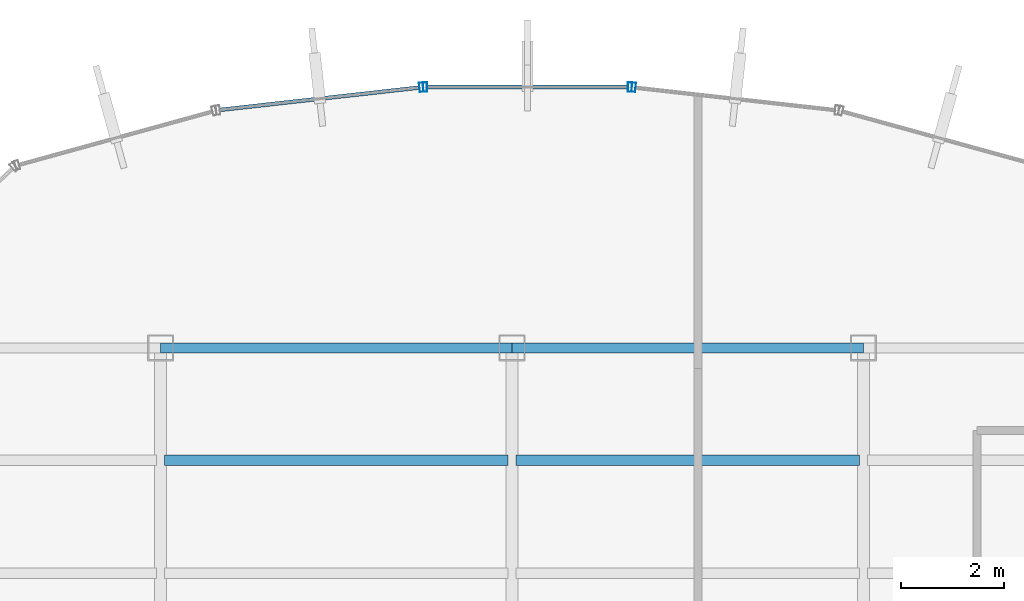
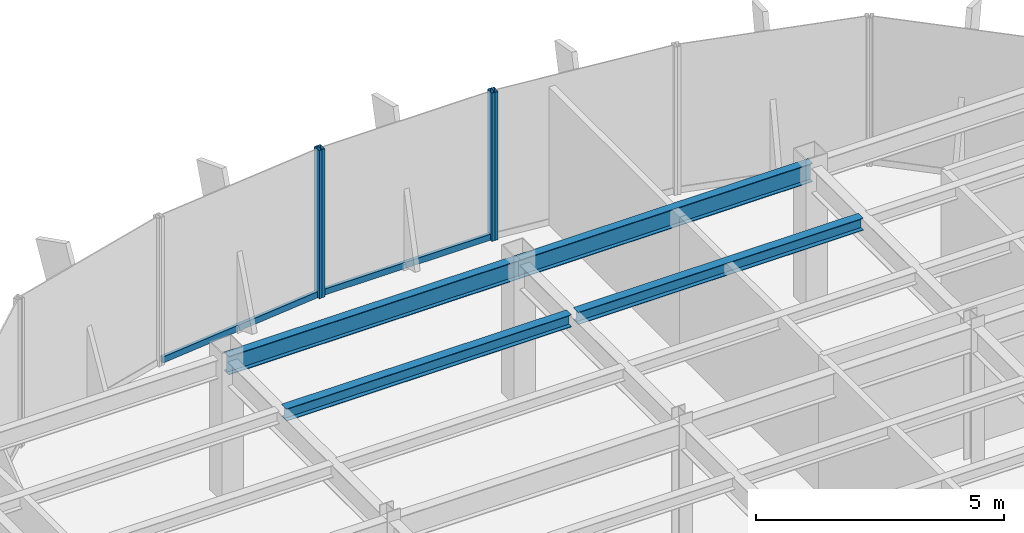
# One storey, part 13 of 22: 6 members, 4 beams, 3 elements without a shape of their own.
"""IFC4 building model written with IfcOpenShell, lengths in metres."""

from ifc_helpers import new_model, si_unit, derived_unit, direction, frame, origin, origin_2d, place, context, subcontext, project, spatial, hollow_rectangle, i_section, extrude, source, transform, mapped, material, material_profile, profile_set, type_object, element, aggregate, save


model = new_model("IFC4")

# Units and contexts
model_context = context("Model", 3, precision=1e-05, world=origin(), true_north=direction((0.0, 1.0)))
body_context = subcontext(model_context, "Body", "Model", "MODEL_VIEW")
ifc_project = project(units=[si_unit("LENGTHUNIT", "METRE"), si_unit("AREAUNIT", "SQUARE_METRE"), si_unit("VOLUMEUNIT", "CUBIC_METRE"), si_unit("PLANEANGLEUNIT", "RADIAN"), si_unit("MASSUNIT", "GRAM", prefix="KILO"), derived_unit("THERMALTRANSMITTANCEUNIT", [(si_unit("POWERUNIT", "WATT"), 1), (si_unit("LENGTHUNIT", "METRE"), -2), (si_unit("THERMODYNAMICTEMPERATUREUNIT", "KELVIN"), -1)])], contexts=[model_context])

# Site, building, storey
site_placement = place(None, origin())
site = spatial("IfcSite", under=ifc_project, at=site_placement, CompositionType="ELEMENT")
building_placement = place(site_placement, origin())
building = spatial("IfcBuilding", under=site, at=building_placement, Name="Skarnbrae Concourse Arena and Tower", CompositionType="ELEMENT")
storey_placement = place(building_placement, frame((0.0, 0.0, 240.550048828125)))
storey = spatial("IfcBuildingStorey", under=building, at=storey_placement, Name="L62", CompositionType="ELEMENT", Elevation=240.550048828125)

# Beams
ifc_material_1 = material(Name="Steel CSA G40.21 350W", Category="steel")
ifc_material_profile_1 = material_profile(ifc_material_1, i_section(OverallWidth=0.19091796875, OverallDepth=0.4599609375, WebThickness=0.010009765625, FlangeThickness=0.01611328125, at=origin_2d()), Name="W460X82")
ifc_profile_set_1 = profile_set([ifc_material_profile_1], Name="Steel CSA G40.21 350W")
beam_type_1 = type_object("IfcBeamType", Name="BM-SPAN-W460X82", PredefinedType="SPANDREL", material=ifc_profile_set_1)
shared_shape_1 = source(origin(), body_context, "Body", "SweptSolid", [
    extrude(i_section(OverallWidth=0.19091796875, OverallDepth=0.4599609375, WebThickness=0.010009765625, FlangeThickness=0.01611328125, at=origin_2d()), origin(), (0.0, 0.0, 1.0), 6.800048828125),
])
for number, where, z_axis, x_axis, name in (
    (1, (14.39990234375, 34.39990234375, 3.169921875), (1.0, 0.0, 0.0), (0.0, 1.0, 0.0), "L62 Perimeter spandrel Y34.4-2"),
    (2, (21.199951171875, 34.39990234375, 3.169921875), (1.0, 0.0, 0.0), (0.0, 1.0, 0.0), "L62 Perimeter spandrel Y34.4-3"),
):
    element("IfcBeam", number, at=place(storey_placement, frame(where, z_axis=z_axis, x_axis=x_axis)), inside=storey, type_object=beam_type_1, Name=name, PredefinedType="SPANDREL", context=body_context, shape_type="MappedRepresentation", body=[
        mapped(shared_shape_1, transform((0.0, 0.0, 0.0))),
    ])
ifc_material_profile_2 = material_profile(ifc_material_1, i_section(OverallWidth=0.202880859375, OverallDepth=0.302978515625, WebThickness=0.007568359375, FlangeThickness=0.01318359375, at=origin_2d()), Name="W310X60")
ifc_profile_set_2 = profile_set([ifc_material_profile_2], Name="Steel CSA G40.21 350W")
beam_type_2 = type_object("IfcBeamType", Name="BM-JOIST-W310X60", PredefinedType="JOIST", material=ifc_profile_set_2)
shared_shape_2 = source(origin(), body_context, "Body", "SweptSolid", [
    extrude(i_section(OverallWidth=0.202880859375, OverallDepth=0.302978515625, WebThickness=0.007568359375, FlangeThickness=0.01318359375, at=origin_2d()), origin(), (0.0, 0.0, 1.0), 6.64013671875),
])
beam_1_placement = place(storey_placement, frame((14.47998046875, 32.221923828125, 3.24853515625), z_axis=(1.0, 0.0, 0.0), x_axis=(0.0, 1.0, 0.0)))
element("IfcBeam", 3, at=beam_1_placement, inside=storey, type_object=beam_type_2, Name="L62 Secondary floor joist 3.2.2", PredefinedType="JOIST", context=body_context, shape_type="MappedRepresentation", body=[
    mapped(shared_shape_2, transform((0.0, 0.0, 0.0))),
])
shared_shape_3 = source(origin(), body_context, "Body", "SweptSolid", [
    extrude(i_section(OverallWidth=0.202880859375, OverallDepth=0.302978515625, WebThickness=0.007568359375, FlangeThickness=0.01318359375, at=origin_2d()), origin(), (0.0, 0.0, 1.0), 6.639892578125),
])
beam_2_placement = place(storey_placement, frame((21.280029296875, 32.221923828125, 3.24853515625), z_axis=(1.0, 0.0, 0.0), x_axis=(0.0, 1.0, 0.0)))
element("IfcBeam", 4, at=beam_2_placement, inside=storey, type_object=beam_type_2, Name="L62 Secondary floor joist 3.2.3", PredefinedType="JOIST", context=body_context, shape_type="MappedRepresentation", body=[
    mapped(shared_shape_3, transform((0.0, 0.0, 0.0))),
])

# Curtain wall, member
ifc_material_2 = material(Name="Bronze anodised aluminium 6063-T6", Category="aluminium")
curtain_wall_type = type_object("IfcCurtainWallType", Name="CW-SYS-05-HIGHZONE", PredefinedType="USERDEFINED", material=ifc_material_2)
curtain_wall_1_placement = place(storey_placement, origin())
curtain_wall_1 = element("IfcCurtainWall", 5, at=curtain_wall_1_placement, inside=storey, type_object=curtain_wall_type, Name="L62 Unitised curtain wall CW-L62-E10", ObjectType="UNITISED CURTAIN WALL", PredefinedType="USERDEFINED")
ifc_material_profile_3 = material_profile(ifc_material_2, hollow_rectangle(XDim=0.074951171875, YDim=0.179931640625, WallThickness=0.00390625, at=origin_2d()), Name="ALU-MULL-75X180")
ifc_profile_set_3 = profile_set([ifc_material_profile_3], Name="Bronze anodised aluminium 6063-T6")
member_type_1 = type_object("IfcMemberType", Name="CWM-CW-05", PredefinedType="MULLION", material=ifc_profile_set_3)
shared_shape_4 = source(origin(), body_context, "Body", "SweptSolid", [
    extrude(hollow_rectangle(XDim=0.074951171875, YDim=0.179931640625, WallThickness=0.00390625, at=origin_2d()), origin(), (0.0, 0.0, 1.0), 3.64990234375),
])
member_1_placement = place(storey_placement, frame((23.554443359375, 39.4423828125, 0.0), z_axis=(0.0, 0.0, 1.0), x_axis=(-0.993768891873, 0.111460259941, 0.0)))
member_1 = element("IfcMember", 6, at=member_1_placement, type_object=member_type_1, Name="CW-L62-E10 Mullion 2", PredefinedType="MULLION", context=body_context, shape_type="MappedRepresentation", body=[
    mapped(shared_shape_4, transform((0.0, 0.0, 0.0))),
])
aggregate(curtain_wall_1, [member_1])

# Curtain wall, members
curtain_wall_2_placement = place(storey_placement, origin())
curtain_wall_2 = element("IfcCurtainWall", 7, at=curtain_wall_2_placement, inside=storey, type_object=curtain_wall_type, Name="L62 Unitised curtain wall CW-L62-E11", ObjectType="UNITISED CURTAIN WALL", PredefinedType="USERDEFINED")
member_2_placement = place(storey_placement, frame((23.479736328125, 39.44677734375, 0.0), z_axis=(0.0, 0.0, 1.0), x_axis=(-1.0, 0.0, 0.0)))
member_2 = element("IfcMember", 8, at=member_2_placement, type_object=member_type_1, Name="CW-L62-E11 Mullion 1", PredefinedType="MULLION", context=body_context, shape_type="MappedRepresentation", body=[
    mapped(shared_shape_4, transform((0.0, 0.0, 0.0))),
])
member_3_placement = place(storey_placement, frame((19.520263671875, 39.44677734375, 0.0), z_axis=(0.0, 0.0, 1.0), x_axis=(-1.0, 0.0, 0.0)))
member_3 = element("IfcMember", 9, at=member_3_placement, type_object=member_type_1, Name="CW-L62-E11 Mullion 2", PredefinedType="MULLION", context=body_context, shape_type="MappedRepresentation", body=[
    mapped(shared_shape_4, transform((0.0, 0.0, 0.0))),
])

curtain_wall_3_placement = place(storey_placement, origin())
curtain_wall_3 = element("IfcCurtainWall", 10, at=curtain_wall_3_placement, inside=storey, type_object=curtain_wall_type, Name="L62 Unitised curtain wall CW-L62-E12", ObjectType="UNITISED CURTAIN WALL", PredefinedType="USERDEFINED")
member_4_placement = place(storey_placement, frame((19.445556640625, 39.4423828125, 0.0), z_axis=(0.0, 0.0, 1.0), x_axis=(-0.993768891873, -0.111460259941, 0.0)))
member_4 = element("IfcMember", 11, at=member_4_placement, type_object=member_type_1, Name="CW-L62-E12 Mullion 1", PredefinedType="MULLION", context=body_context, shape_type="MappedRepresentation", body=[
    mapped(shared_shape_4, transform((0.0, 0.0, 0.0))),
])
ifc_material_profile_4 = material_profile(ifc_material_2, hollow_rectangle(XDim=0.074951171875, YDim=0.14990234375, WallThickness=0.00390625, at=origin_2d()), Name="ALU-TRAN-75X150")
ifc_profile_set_4 = profile_set([ifc_material_profile_4], Name="Bronze anodised aluminium 6063-T6")
member_type_2 = type_object("IfcMemberType", Name="CWT-CW-05", PredefinedType="USERDEFINED", material=ifc_profile_set_4)
shared_shape_5 = source(origin(), body_context, "Body", "SweptSolid", [
    extrude(hollow_rectangle(XDim=0.074951171875, YDim=0.14990234375, WallThickness=0.00390625, at=origin_2d()), origin(), (0.0, 0.0, 1.0), 3.8837890625),
])
member_5_placement = place(storey_placement, frame((19.408203125, 39.438232421875, 0.074951171875), z_axis=(-0.993776714154, -0.111390495128, 0.0), x_axis=(0.111390495128, -0.993776714154, 0.0)))
member_5 = element("IfcMember", 12, at=member_5_placement, type_object=member_type_2, Name="CW-L62-E12 Transom 1", ObjectType="TRANSOM", PredefinedType="USERDEFINED", context=body_context, shape_type="MappedRepresentation", body=[
    mapped(shared_shape_5, transform((0.0, 0.0, 0.0))),
])
aggregate(curtain_wall_3, [member_4, member_5])

# Member
shared_shape_6 = source(origin(), body_context, "Body", "SweptSolid", [
    extrude(hollow_rectangle(XDim=0.074951171875, YDim=0.14990234375, WallThickness=0.00390625, at=origin_2d()), origin(), (0.0, 0.0, 1.0), 3.88427734375),
])
member_6_placement = place(storey_placement, frame((23.442138671875, 39.44677734375, 0.074951171875), z_axis=(-1.0, 0.0, 0.0), x_axis=(0.0, -1.0, 0.0)))
member_6 = element("IfcMember", 13, at=member_6_placement, type_object=member_type_2, Name="CW-L62-E11 Transom 1", ObjectType="TRANSOM", PredefinedType="USERDEFINED", context=body_context, shape_type="MappedRepresentation", body=[
    mapped(shared_shape_6, transform((0.0, 0.0, 0.0))),
])

aggregate(curtain_wall_2, [member_2, member_3, member_6])

save(model, "model.ifc")
